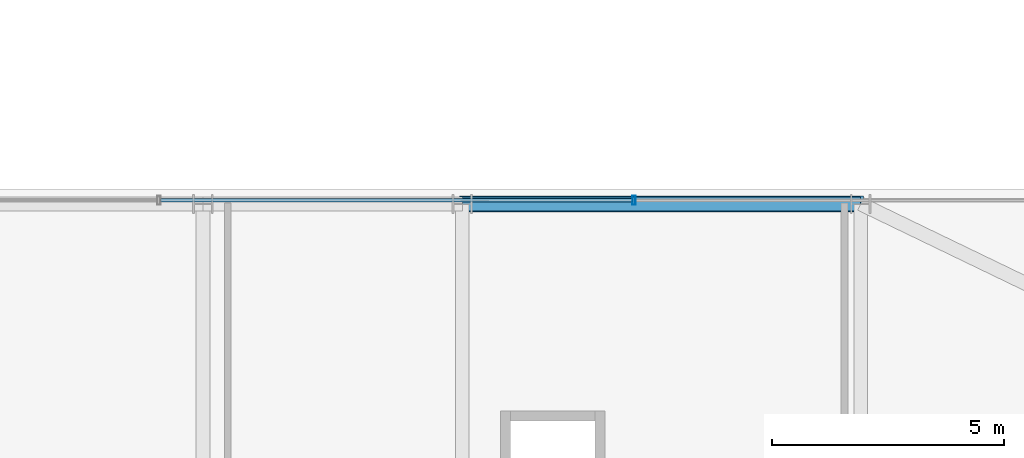
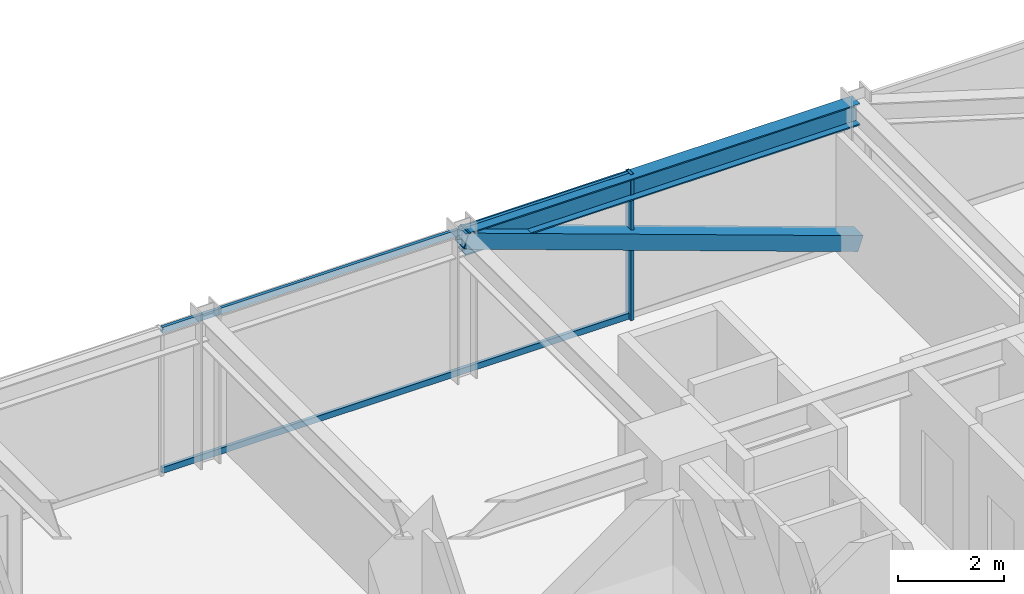
# One storey, part 31 of 41: 4 members, 1 beam, 1 element without a shape of its own.
"""IFC4 building model written with IfcOpenShell, lengths in metres."""

from ifc_helpers import new_model, si_unit, direction, frame, origin, origin_2d, place, context, subcontext, project, spatial, hollow_rectangle, i_section, extrude, source, transform, mapped, material, material_profile, profile_set, type_object, element, aggregate, save


model = new_model("IFC4")

# Units and contexts
model_context = context("Model", 3, precision=1e-05, world=origin(), true_north=direction((0.0, 1.0)))
body_context = subcontext(model_context, "Body", "Model", "MODEL_VIEW")
ifc_project = project(units=[si_unit("LENGTHUNIT", "METRE"), si_unit("AREAUNIT", "SQUARE_METRE"), si_unit("VOLUMEUNIT", "CUBIC_METRE"), si_unit("PLANEANGLEUNIT", "RADIAN"), si_unit("MASSUNIT", "GRAM", prefix="KILO")], contexts=[model_context])

# Site, building, storey
site_placement = place(None, origin())
site = spatial("IfcSite", under=ifc_project, at=site_placement, CompositionType="ELEMENT")
building_placement = place(site_placement, origin())
building = spatial("IfcBuilding", under=site, at=building_placement, Name="Nahalor Promenade Grand Hotel", CompositionType="ELEMENT")
storey_placement = place(building_placement, frame((0.0, 0.0, 54.300048828125)))
storey = spatial("IfcBuildingStorey", under=building, at=storey_placement, Name="L12", CompositionType="ELEMENT", Elevation=54.300048828125)

# Beam
ifc_material_1 = material(Name="Steel S355JR", Category="steel")
ifc_material_profile_1 = material_profile(ifc_material_1, i_section(OverallWidth=0.3, OverallDepth=0.5, WebThickness=0.0145, FlangeThickness=0.028, at=origin_2d()), Name="HEB 500")
ifc_profile_set_1 = profile_set([ifc_material_profile_1], Name="Steel S355JR")
beam_type = type_object("IfcBeamType", Name="Beam-Spandrel-HEB500", PredefinedType="SPANDREL", material=ifc_profile_set_1)
shared_shape_1 = source(origin(), body_context, "Body", "SweptSolid", [
    extrude(i_section(OverallWidth=0.3, OverallDepth=0.5, WebThickness=0.0145, FlangeThickness=0.028, at=origin_2d()), origin(), (0.0, 0.0, 1.0), 8.60009765625),
])
beam_placement = place(storey_placement, frame((8.39990234375, 25.080078125, 3.119873046875), z_axis=(1.0, 0.0, 0.0), x_axis=(0.0, 1.0, 0.0)))
element("IfcBeam", 1, at=beam_placement, inside=storey, type_object=beam_type, Name="BM-L12-SP-N-4", PredefinedType="SPANDREL", context=body_context, shape_type="MappedRepresentation", body=[
    mapped(shared_shape_1, transform((0.0, 0.0, 0.0), scale=1.0)),
])

# Member
ifc_material_profile_2 = material_profile(ifc_material_1, hollow_rectangle(XDim=0.35, YDim=0.35, WallThickness=0.02, at=origin_2d()), Name="SHS 350x350x20")
ifc_profile_set_2 = profile_set([ifc_material_profile_2], Name="Steel S355JR")
member_type_1 = type_object("IfcMemberType", Name="Mem-VoidBrace-SHS350", PredefinedType="BRACE", material=ifc_profile_set_2)
shared_shape_2 = source(origin(), body_context, "Body", "SweptSolid", [
    extrude(hollow_rectangle(XDim=0.35, YDim=0.35, WallThickness=0.02, at=origin_2d()), origin(), (0.0, 0.0, 1.0), 9.131591796875),
])
member_1_placement = place(storey_placement, frame((17.0, 25.080078125, 0.14990234375), z_axis=(-0.941790292179, 0.0, 0.336200900589), x_axis=(0.0, -1.0, 0.0)))
element("IfcMember", 2, at=member_1_placement, inside=storey, type_object=member_type_1, Name="EXO-L12-N-1", PredefinedType="BRACE", context=body_context, shape_type="MappedRepresentation", body=[
    mapped(shared_shape_2, transform((0.0, 0.0, 0.0), scale=1.0)),
])

# Curtain wall, members
ifc_material_2 = material(Name="Anodised Bronze Aluminium EN AW-6063 T6", Category="aluminium")
curtain_wall_type = type_object("IfcCurtainWallType", Name="CW3 Elliptical-Void Collar Unitised Curtain Wall", PredefinedType="USERDEFINED", material=ifc_material_2)
curtain_wall_placement = place(storey_placement, origin())
curtain_wall = element("IfcCurtainWall", 3, at=curtain_wall_placement, inside=storey, type_object=curtain_wall_type, Name="L12 Curtain Wall CW-L12-N-3", ObjectType="UNITISED_CURTAIN_WALL", PredefinedType="USERDEFINED")
ifc_material_profile_3 = material_profile(ifc_material_2, hollow_rectangle(XDim=0.07, YDim=0.2, WallThickness=0.005, at=origin_2d()), Name="CWM 70x200x5")
ifc_profile_set_3 = profile_set([ifc_material_profile_3], Name="Anodised Bronze Aluminium EN AW-6063 T6")
member_type_2 = type_object("IfcMemberType", Name="CWM3 Void Collar Mullion 70x200", PredefinedType="MULLION", material=ifc_profile_set_3)
shared_shape_3 = source(origin(), body_context, "Body", "SweptSolid", [
    extrude(hollow_rectangle(XDim=0.07, YDim=0.2, WallThickness=0.005, at=origin_2d()), origin(), (0.0, 0.0, 1.0), 3.369873046875),
])
member_2_placement = place(storey_placement, frame((12.106689453125, 25.159912109375, 0.0), z_axis=(0.0, 0.0, 1.0), x_axis=(1.0, 0.0, 0.0)))
member_2 = element("IfcMember", 4, at=member_2_placement, type_object=member_type_2, Name="CW-L12-N-3 Mullion 2", PredefinedType="MULLION", context=body_context, shape_type="MappedRepresentation", body=[
    mapped(shared_shape_3, transform((0.0, 0.0, 0.0), scale=1.0)),
])
ifc_material_profile_4 = material_profile(ifc_material_2, hollow_rectangle(XDim=0.07, YDim=0.14, WallThickness=0.004, at=origin_2d()), Name="CWT 70x140x4")
ifc_profile_set_4 = profile_set([ifc_material_profile_4], Name="Anodised Bronze Aluminium EN AW-6063 T6")
member_type_3 = type_object("IfcMemberType", Name="CWT3 Void Collar Transom 70x140", PredefinedType="USERDEFINED", material=ifc_profile_set_4)
shared_shape_4 = source(origin(), body_context, "Body", "SweptSolid", [
    extrude(hollow_rectangle(XDim=0.07, YDim=0.14, WallThickness=0.004, at=origin_2d()), origin(), (0.0, 0.0, 1.0), 10.183349609375),
])
member_3_placement = place(storey_placement, frame((1.888427734375, 25.159912109375, 0.070068359375), z_axis=(1.0, 0.0, 0.0), x_axis=(0.0, 1.0, 0.0)))
member_3 = element("IfcMember", 5, at=member_3_placement, type_object=member_type_3, Name="CW-L12-N-3 Transom 1-0", ObjectType="TRANSOM", PredefinedType="USERDEFINED", context=body_context, shape_type="MappedRepresentation", body=[
    mapped(shared_shape_4, transform((0.0, 0.0, 0.0), scale=1.0)),
])
member_4_placement = place(storey_placement, frame((1.888427734375, 25.159912109375, 3.300048828125), z_axis=(1.0, 0.0, 0.0), x_axis=(0.0, 1.0, 0.0)))
member_4 = element("IfcMember", 6, at=member_4_placement, type_object=member_type_3, Name="CW-L12-N-3 Transom 1-1", ObjectType="TRANSOM", PredefinedType="USERDEFINED", context=body_context, shape_type="MappedRepresentation", body=[
    mapped(shared_shape_4, transform((0.0, 0.0, 0.0), scale=1.0)),
])
aggregate(curtain_wall, [member_2, member_3, member_4])

save(model, "model.ifc")
